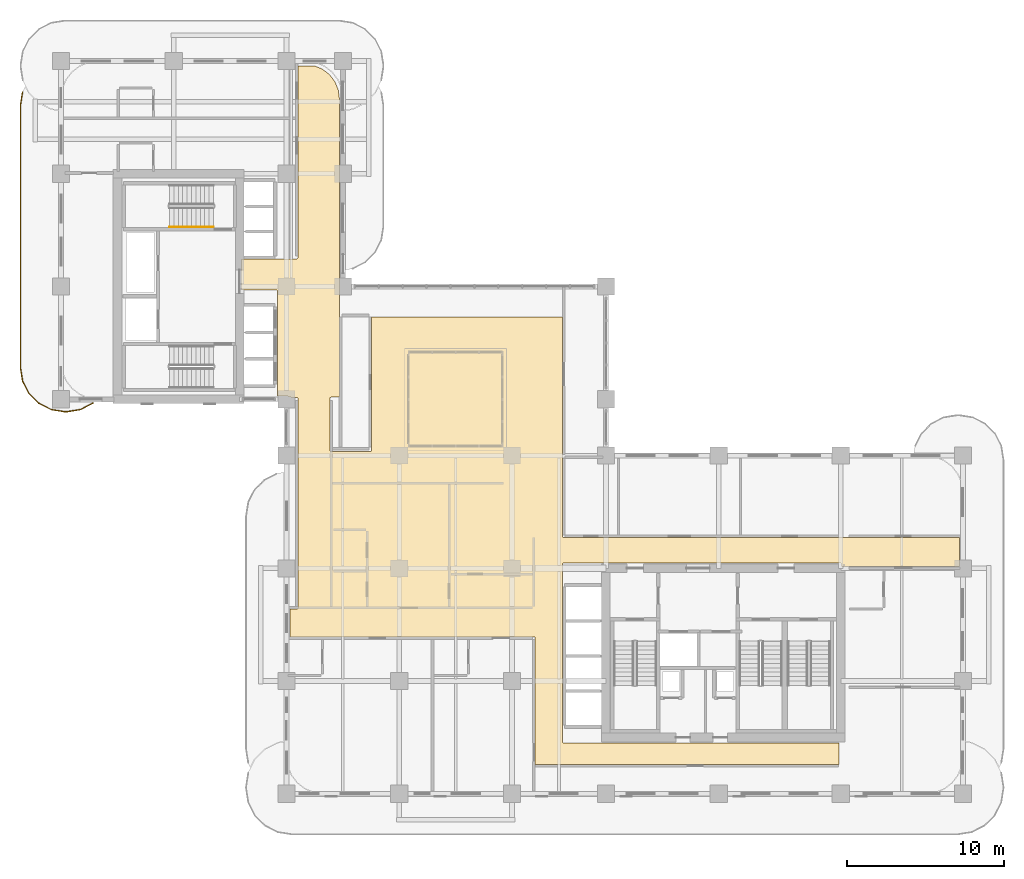
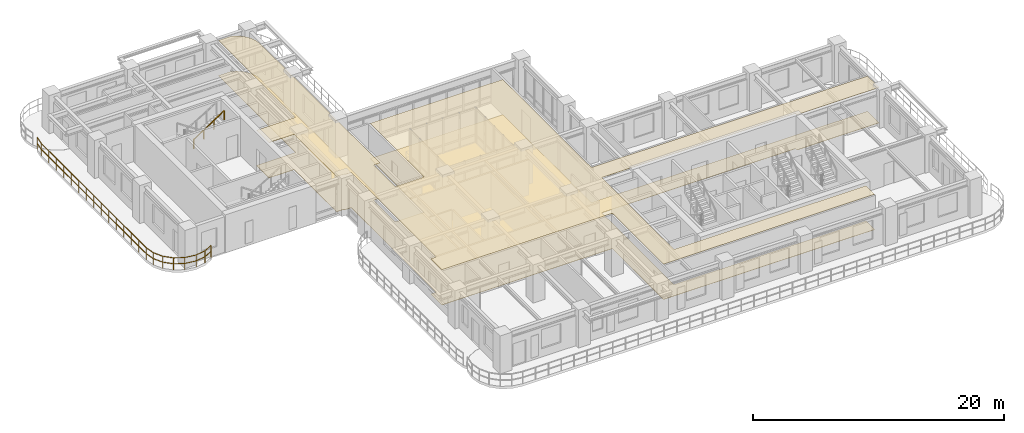
# One storey, part 21 of 22: 2 coverings, 2 railings.
"""IFC4 building model written with IfcOpenShell, lengths in metres."""

from ifc_helpers import new_model, si_unit, derived_unit, direction, frame, origin, origin_2d, place, context, subcontext, project, spatial, polyline, rectangle, outline, extrude, material, layer, layer_set, type_object, element, save


model = new_model("IFC4")

# Units and contexts
model_context = context("Model", 3, precision=1e-05, world=origin(), true_north=direction((0.0, 1.0)))
body_context = subcontext(model_context, "Body", "Model", "MODEL_VIEW")
ifc_project = project(units=[si_unit("LENGTHUNIT", "METRE"), si_unit("AREAUNIT", "SQUARE_METRE"), si_unit("VOLUMEUNIT", "CUBIC_METRE"), si_unit("PLANEANGLEUNIT", "RADIAN"), si_unit("MASSUNIT", "GRAM", prefix="KILO"), si_unit("THERMODYNAMICTEMPERATUREUNIT", "KELVIN"), si_unit("POWERUNIT", "WATT"), derived_unit("THERMALTRANSMITTANCEUNIT", [(si_unit("POWERUNIT", "WATT"), 1), (si_unit("AREAUNIT", "SQUARE_METRE"), -1), (si_unit("THERMODYNAMICTEMPERATUREUNIT", "KELVIN"), -1)])], contexts=[model_context])

# Site, building, storey
site_placement = place(None, origin())
site = spatial("IfcSite", under=ifc_project, at=site_placement, CompositionType="ELEMENT")
building_placement = place(site_placement, origin())
building = spatial("IfcBuilding", under=site, at=building_placement, Name="Zahravan Archway Hotel and Residences", CompositionType="ELEMENT")
storey_placement = place(building_placement, frame((0.0, 0.0, 84.199951171875)))
storey = spatial("IfcBuildingStorey", under=building, at=storey_placement, Name="L20", CompositionType="ELEMENT", Elevation=84.199951171875)

# Coverings
ifc_material_1 = material(Name="Perforated Acoustic Gypsum Ceiling")
ifc_layer_1 = layer(ifc_material_1, 0.02490234375, Name="Perforated Acoustic Gypsum Ceiling")
ifc_layer_set_1 = layer_set([ifc_layer_1], Name="Perforated Acoustic Gypsum Ceiling")
covering_type_1 = type_object("IfcCoveringType", Name="COV-CEIL-ACST", PredefinedType="CEILING", material=ifc_layer_set_1)
covering_1_placement = place(storey_placement, frame((0.0, 0.0, 3.425048828125)))
element("IfcCovering", 1, at=covering_1_placement, inside=storey, type_object=covering_type_1, Name="L20 Acoustic Corridor Ceiling", PredefinedType="CEILING", context=body_context, shape_type="SweptSolid", body=[
    extrude(outline(polyline([(32.021484375, 3.309326171875), (32.04345703125, 3.268310546875), (32.08447265625, 3.24658203125), (49.669921875, 3.2451171875), (49.669921875, 1.8798828125), (30.280029296875, 1.8798828125), (30.280029296875, 9.949951171875), (30.2666015625, 9.994384765625), (30.230712890625, 10.02392578125), (14.6201171875, 10.030029296875), (14.6201171875, 11.7900390625), (15.050048828125, 11.7900390625), (15.094482421875, 11.803466796875), (15.123779296875, 11.83935546875), (15.1298828125, 25.25), (15.116455078125, 25.29443359375), (15.08056640625, 25.323974609375), (14.5771484375, 25.330078125), (14.53955078125, 25.3701171875), (14.503662109375, 25.39404296875), (14.4638671875, 25.410400390625), (14.421630859375, 25.4189453125), (13.830078125, 25.419921875), (13.830078125, 32.10009765625), (13.81640625, 32.144287109375), (13.780517578125, 32.173828125), (11.530029296875, 32.179931640625), (11.530029296875, 34.169921875), (15.050048828125, 34.169921875), (15.094482421875, 34.18359375), (15.123779296875, 34.219482421875), (15.1298828125, 46.469970703125), (16.24560546875, 46.469970703125), (16.689208984375, 46.286376953125), (17.14013671875, 45.940185546875), (17.486328125, 45.489013671875), (17.703857421875, 44.9638671875), (17.77001953125, 44.46142578125), (17.77001953125, 25.330078125), (17.25, 25.330078125), (17.20556640625, 25.31640625), (17.176025390625, 25.280517578125), (17.169921875, 21.949951171875), (17.18359375, 21.905517578125), (17.219482421875, 21.876220703125), (19.75, 21.8701171875), (19.79443359375, 21.883544921875), (19.823974609375, 21.91943359375), (19.830078125, 30.469970703125), (32.02001953125, 30.469970703125), (32.02001953125, 16.449951171875), (32.033447265625, 16.405517578125), (32.0693359375, 16.376220703125), (57.3798828125, 16.3701171875), (57.3798828125, 14.530029296875), (49.830078125, 14.530029296875), (49.830078125, 14.675048828125), (49.81640625, 14.719482421875), (49.780517578125, 14.748779296875), (32.10009765625, 14.7548828125), (32.0556640625, 14.741455078125), (32.026123046875, 14.70556640625), (32.02001953125, 3.324951171875), (32.021484375, 3.309326171875)])), origin(), (0.0, 0.0, 1.0), 0.02490234375),
])
ifc_material_2 = material(Name="Honed Margalla Limestone & Mortar Bed", Category="masonry")
ifc_layer_2 = layer(ifc_material_2, 0.030029296875, Name="Honed Margalla Limestone & Mortar Bed", Category="masonry")
ifc_layer_set_2 = layer_set([ifc_layer_2], Name="Honed Margalla Limestone & Mortar Bed")
covering_type_2 = type_object("IfcCoveringType", Name="COV-FLR-STONE", PredefinedType="FLOORING", material=ifc_layer_set_2)
covering_2_placement = place(storey_placement, origin())
element("IfcCovering", 2, at=covering_2_placement, inside=storey, type_object=covering_type_2, Name="L20 Circulation Floor Finish", PredefinedType="FLOORING", context=body_context, shape_type="SweptSolid", body=[
    extrude(outline(polyline([(32.021484375, 3.309326171875), (32.04345703125, 3.268310546875), (32.08447265625, 3.24658203125), (49.669921875, 3.2451171875), (49.669921875, 1.8798828125), (30.280029296875, 1.8798828125), (30.280029296875, 9.949951171875), (30.2666015625, 9.994384765625), (30.230712890625, 10.02392578125), (14.6201171875, 10.030029296875), (14.6201171875, 11.7900390625), (15.050048828125, 11.7900390625), (15.094482421875, 11.803466796875), (15.123779296875, 11.83935546875), (15.1298828125, 25.25), (15.116455078125, 25.29443359375), (15.08056640625, 25.323974609375), (14.5771484375, 25.330078125), (14.53955078125, 25.3701171875), (14.503662109375, 25.39404296875), (14.4638671875, 25.410400390625), (14.421630859375, 25.4189453125), (13.830078125, 25.419921875), (13.830078125, 32.10009765625), (13.81640625, 32.144287109375), (13.780517578125, 32.173828125), (11.530029296875, 32.179931640625), (11.530029296875, 34.169921875), (15.050048828125, 34.169921875), (15.094482421875, 34.18359375), (15.123779296875, 34.219482421875), (15.1298828125, 46.469970703125), (16.24560546875, 46.469970703125), (16.689208984375, 46.286376953125), (17.14013671875, 45.940185546875), (17.486328125, 45.489013671875), (17.703857421875, 44.9638671875), (17.77001953125, 44.46142578125), (17.77001953125, 25.330078125), (17.25, 25.330078125), (17.20556640625, 25.31640625), (17.176025390625, 25.280517578125), (17.169921875, 21.949951171875), (17.18359375, 21.905517578125), (17.219482421875, 21.876220703125), (19.75, 21.8701171875), (19.79443359375, 21.883544921875), (19.823974609375, 21.91943359375), (19.830078125, 30.469970703125), (32.02001953125, 30.469970703125), (32.02001953125, 16.449951171875), (32.033447265625, 16.405517578125), (32.0693359375, 16.376220703125), (57.3798828125, 16.3701171875), (57.3798828125, 14.530029296875), (49.830078125, 14.530029296875), (49.830078125, 14.675048828125), (49.81640625, 14.719482421875), (49.780517578125, 14.748779296875), (32.10009765625, 14.7548828125), (32.0556640625, 14.741455078125), (32.026123046875, 14.70556640625), (32.02001953125, 3.324951171875), (32.021484375, 3.309326171875)])), origin(), (0.0, 0.0, 1.0), 0.030029296875),
])

# Railings
ifc_material_3 = material(Name="Bronze & Laminated Glass Balustrade", Category="glass")
railing_type_1 = type_object("IfcRailingType", Name="RL-BAL-1200", PredefinedType="BALUSTRADE", material=ifc_material_3)
railing_1_placement = place(storey_placement, frame((2.025146484375, 24.9443359375, 0.0)))
element("IfcRailing", 3, at=railing_1_placement, inside=storey, type_object=railing_type_1, Name="L20 Balustrade RL-SLB-BAL-L20-WB-1", PredefinedType="BALUSTRADE", context=body_context, shape_type="SweptSolid", body=[
    extrude(rectangle(XDim=0.048095703125, YDim=0.048095703125, at=origin_2d()), frame((0.0, 0.0, 1.17578125), z_axis=(-0.891006060389, -0.453991409995, 0.0), x_axis=(0.453991409995, -0.891006060389, 0.0)), (0.0, 0.0, 1.0), 0.8916015625),
    extrude(rectangle(XDim=0.048095703125, YDim=0.048095703125, at=origin_2d()), frame((0.0, 0.0, 0.60009765625), z_axis=(-0.891006060389, -0.453991409995, 0.0), x_axis=(0.453991409995, -0.891006060389, 0.0)), (0.0, 0.0, 1.0), 0.8916015625),
    extrude(rectangle(XDim=0.048095703125, YDim=0.048095703125, at=origin_2d()), frame((-0.79443359375, -0.40478515625, 1.17578125), z_axis=(-0.987658397726, -0.156623399917, 0.0), x_axis=(0.156623399917, -0.987658397726, 0.0)), (0.0, 0.0, 1.0), 0.8916015625),
    extrude(rectangle(XDim=0.048095703125, YDim=0.048095703125, at=origin_2d()), frame((-0.79443359375, -0.40478515625, 0.60009765625), z_axis=(-0.987658397726, -0.156623399917, 0.0), x_axis=(0.156623399917, -0.987658397726, 0.0)), (0.0, 0.0, 1.0), 0.8916015625),
    extrude(rectangle(XDim=0.048095703125, YDim=0.048095703125, at=origin_2d()), frame((-1.675048828125, -0.54443359375, 1.17578125), z_axis=(-1.0, 0.0, 0.0), x_axis=(0.0, -1.0, 0.0)), (0.0, 0.0, 1.0), 0.10009765625),
    extrude(rectangle(XDim=0.048095703125, YDim=0.048095703125, at=origin_2d()), frame((-1.675048828125, -0.54443359375, 0.60009765625), z_axis=(-1.0, 0.0, 0.0), x_axis=(0.0, -1.0, 0.0)), (0.0, 0.0, 1.0), 0.10009765625),
    extrude(rectangle(XDim=0.048095703125, YDim=0.048095703125, at=origin_2d()), frame((-1.775146484375, -0.54443359375, 1.17578125), z_axis=(-0.987658397726, 0.156623399917, 0.0), x_axis=(-0.156623399917, -0.987658397726, 0.0)), (0.0, 0.0, 1.0), 0.8916015625),
    extrude(rectangle(XDim=0.048095703125, YDim=0.048095703125, at=origin_2d()), frame((-1.775146484375, -0.54443359375, 0.60009765625), z_axis=(-0.987658397726, 0.156623399917, 0.0), x_axis=(-0.156623399917, -0.987658397726, 0.0)), (0.0, 0.0, 1.0), 0.8916015625),
    extrude(rectangle(XDim=0.048095703125, YDim=0.048095703125, at=origin_2d()), frame((-2.65576171875, -0.40478515625, 1.17578125), z_axis=(-0.891062476022, 0.45388067135, 0.0), x_axis=(-0.45388067135, -0.891062476022, 0.0)), (0.0, 0.0, 1.0), 0.891845703125),
    extrude(rectangle(XDim=0.048095703125, YDim=0.048095703125, at=origin_2d()), frame((-2.65576171875, -0.40478515625, 0.60009765625), z_axis=(-0.891062476022, 0.45388067135, 0.0), x_axis=(-0.45388067135, -0.891062476022, 0.0)), (0.0, 0.0, 1.0), 0.891845703125),
    extrude(rectangle(XDim=0.048095703125, YDim=0.048095703125, at=origin_2d()), frame((-3.450439453125, 0.0, 1.17578125), z_axis=(-0.707106781187, 0.707106781187, 0.0), x_axis=(-0.707106781187, -0.707106781187, 0.0)), (0.0, 0.0, 1.0), 0.891357421875),
    extrude(rectangle(XDim=0.048095703125, YDim=0.048095703125, at=origin_2d()), frame((-3.450439453125, 0.0, 0.60009765625), z_axis=(-0.707106781187, 0.707106781187, 0.0), x_axis=(-0.707106781187, -0.707106781187, 0.0)), (0.0, 0.0, 1.0), 0.891357421875),
    extrude(rectangle(XDim=0.048095703125, YDim=0.048095703125, at=origin_2d()), frame((-4.080810546875, 0.63037109375, 1.17578125), z_axis=(-0.45388067135, 0.891062476022, 0.0), x_axis=(-0.891062476022, -0.45388067135, 0.0)), (0.0, 0.0, 1.0), 0.891845703125),
    extrude(rectangle(XDim=0.048095703125, YDim=0.048095703125, at=origin_2d()), frame((-4.080810546875, 0.63037109375, 0.60009765625), z_axis=(-0.45388067135, 0.891062476022, 0.0), x_axis=(-0.891062476022, -0.45388067135, 0.0)), (0.0, 0.0, 1.0), 0.891845703125),
    extrude(rectangle(XDim=0.048095703125, YDim=0.048095703125, at=origin_2d()), frame((-4.485595703125, 1.425048828125, 1.17578125), z_axis=(-0.156623399917, 0.987658397726, 0.0), x_axis=(-0.987658397726, -0.156623399917, 0.0)), (0.0, 0.0, 1.0), 0.8916015625),
    extrude(rectangle(XDim=0.048095703125, YDim=0.048095703125, at=origin_2d()), frame((-4.485595703125, 1.425048828125, 0.60009765625), z_axis=(-0.156623399917, 0.987658397726, 0.0), x_axis=(-0.987658397726, -0.156623399917, 0.0)), (0.0, 0.0, 1.0), 0.8916015625),
    extrude(rectangle(XDim=0.048095703125, YDim=0.048095703125, at=origin_2d()), frame((-4.625244140625, 2.3056640625, 1.17578125), z_axis=(0.0, 1.0, 0.0), x_axis=(-1.0, 0.0, 0.0)), (0.0, 0.0, 1.0), 16.699951171875),
    extrude(rectangle(XDim=0.048095703125, YDim=0.048095703125, at=origin_2d()), frame((-4.625244140625, 2.3056640625, 0.60009765625), z_axis=(0.0, 1.0, 0.0), x_axis=(-1.0, 0.0, 0.0)), (0.0, 0.0, 1.0), 16.699951171875),
    extrude(rectangle(XDim=0.048095703125, YDim=0.048095703125, at=origin_2d()), frame((-4.625244140625, 19.005615234375, 1.17578125), z_axis=(0.156581054338, 0.98766511198, 0.0), x_axis=(-0.98766511198, 0.156581054338, 0.0)), (0.0, 0.0, 1.0), 0.891845703125),
    extrude(rectangle(XDim=0.048095703125, YDim=0.048095703125, at=origin_2d()), frame((-4.625244140625, 19.005615234375, 0.60009765625), z_axis=(0.156581054338, 0.98766511198, 0.0), x_axis=(-0.98766511198, 0.156581054338, 0.0)), (0.0, 0.0, 1.0), 0.891845703125),
    extrude(rectangle(XDim=0.0419921875, YDim=0.0419921875, at=origin_2d()), origin(), (0.0, 0.0, 1.0), 1.15185546875),
    extrude(rectangle(XDim=0.0419921875, YDim=0.0419921875, at=origin_2d()), frame((-0.79443359375, -0.40478515625, 0.0)), (0.0, 0.0, 1.0), 1.15185546875),
    extrude(rectangle(XDim=0.0419921875, YDim=0.0419921875, at=origin_2d()), frame((-1.675048828125, -0.54443359375, 0.0)), (0.0, 0.0, 1.0), 1.15185546875),
    extrude(rectangle(XDim=0.0419921875, YDim=0.0419921875, at=origin_2d()), frame((-2.65576171875, -0.40478515625, 0.0)), (0.0, 0.0, 1.0), 1.15185546875),
    extrude(rectangle(XDim=0.0419921875, YDim=0.0419921875, at=origin_2d()), frame((-3.450439453125, 0.0, 0.0)), (0.0, 0.0, 1.0), 1.15185546875),
    extrude(rectangle(XDim=0.0419921875, YDim=0.0419921875, at=origin_2d()), frame((-4.080810546875, 0.63037109375, 0.0)), (0.0, 0.0, 1.0), 1.15185546875),
    extrude(rectangle(XDim=0.0419921875, YDim=0.0419921875, at=origin_2d()), frame((-4.485595703125, 1.425048828125, 0.0)), (0.0, 0.0, 1.0), 1.15185546875),
    extrude(rectangle(XDim=0.0419921875, YDim=0.0419921875, at=origin_2d()), frame((-4.625244140625, 2.3056640625, 0.0)), (0.0, 0.0, 1.0), 1.15185546875),
    extrude(rectangle(XDim=0.0419921875, YDim=0.0419921875, at=origin_2d()), frame((-4.625244140625, 3.49853515625, 0.0)), (0.0, 0.0, 1.0), 1.15185546875),
    extrude(rectangle(XDim=0.0419921875, YDim=0.0419921875, at=origin_2d()), frame((-4.625244140625, 4.69140625, 0.0)), (0.0, 0.0, 1.0), 1.15185546875),
    extrude(rectangle(XDim=0.0419921875, YDim=0.0419921875, at=origin_2d()), frame((-4.625244140625, 5.88427734375, 0.0)), (0.0, 0.0, 1.0), 1.15185546875),
    extrude(rectangle(XDim=0.0419921875, YDim=0.0419921875, at=origin_2d()), frame((-4.625244140625, 7.0771484375, 0.0)), (0.0, 0.0, 1.0), 1.15185546875),
    extrude(rectangle(XDim=0.0419921875, YDim=0.0419921875, at=origin_2d()), frame((-4.625244140625, 8.27001953125, 0.0)), (0.0, 0.0, 1.0), 1.15185546875),
    extrude(rectangle(XDim=0.0419921875, YDim=0.0419921875, at=origin_2d()), frame((-4.625244140625, 9.462890625, 0.0)), (0.0, 0.0, 1.0), 1.15185546875),
    extrude(rectangle(XDim=0.0419921875, YDim=0.0419921875, at=origin_2d()), frame((-4.625244140625, 10.65576171875, 0.0)), (0.0, 0.0, 1.0), 1.15185546875),
    extrude(rectangle(XDim=0.0419921875, YDim=0.0419921875, at=origin_2d()), frame((-4.625244140625, 11.848388671875, 0.0)), (0.0, 0.0, 1.0), 1.15185546875),
    extrude(rectangle(XDim=0.0419921875, YDim=0.0419921875, at=origin_2d()), frame((-4.625244140625, 13.041259765625, 0.0)), (0.0, 0.0, 1.0), 1.15185546875),
    extrude(rectangle(XDim=0.0419921875, YDim=0.0419921875, at=origin_2d()), frame((-4.625244140625, 14.234130859375, 0.0)), (0.0, 0.0, 1.0), 1.15185546875),
    extrude(rectangle(XDim=0.0419921875, YDim=0.0419921875, at=origin_2d()), frame((-4.625244140625, 15.427001953125, 0.0)), (0.0, 0.0, 1.0), 1.15185546875),
    extrude(rectangle(XDim=0.0419921875, YDim=0.0419921875, at=origin_2d()), frame((-4.625244140625, 16.619873046875, 0.0)), (0.0, 0.0, 1.0), 1.15185546875),
    extrude(rectangle(XDim=0.0419921875, YDim=0.0419921875, at=origin_2d()), frame((-4.625244140625, 17.812744140625, 0.0)), (0.0, 0.0, 1.0), 1.15185546875),
    extrude(rectangle(XDim=0.0419921875, YDim=0.0419921875, at=origin_2d()), frame((-4.625244140625, 19.005615234375, 0.0)), (0.0, 0.0, 1.0), 1.15185546875),
    extrude(rectangle(XDim=0.0419921875, YDim=0.0419921875, at=origin_2d()), frame((-4.485595703125, 19.886474609375, 0.0)), (0.0, 0.0, 1.0), 1.15185546875),
])
ifc_material_4 = material(Name="Brushed Stainless Steel", Category="steel")
railing_type_2 = type_object("IfcRailingType", Name="RL-STH-900", PredefinedType="HANDRAIL", material=ifc_material_4)
railing_2_placement = place(storey_placement, frame((6.929931640625, 36.2099609375, 2.018310546875)))
element("IfcRailing", 4, at=railing_2_placement, inside=storey, type_object=railing_type_2, Name="L20 ST-B2 stair handrail 2", PredefinedType="HANDRAIL", context=body_context, shape_type="SweptSolid", body=[
    extrude(rectangle(XDim=0.048095703125, YDim=0.048095703125, at=origin_2d()), frame((0.0, 0.0, 0.8759765625), z_axis=(0.83435981716, 0.0, 0.551220187865), x_axis=(0.0, 1.0, 0.0)), (0.0, 0.0, 1.0), 3.35595703125),
    extrude(rectangle(XDim=0.0419921875, YDim=0.0419921875, at=origin_2d()), origin(), (0.0, 0.0, 1.0), 0.851806640625),
    extrude(rectangle(XDim=0.0419921875, YDim=0.0419921875, at=origin_2d()), frame((0.933349609375, 0.0, 0.61669921875)), (0.0, 0.0, 1.0), 0.851806640625),
    extrude(rectangle(XDim=0.0419921875, YDim=0.0419921875, at=origin_2d()), frame((1.86669921875, 0.0, 1.233154296875)), (0.0, 0.0, 1.0), 0.851806640625),
    extrude(rectangle(XDim=0.0419921875, YDim=0.0419921875, at=origin_2d()), frame((2.800048828125, 0.0, 1.849853515625)), (0.0, 0.0, 1.0), 0.851806640625),
])

save(model, "model.ifc")
